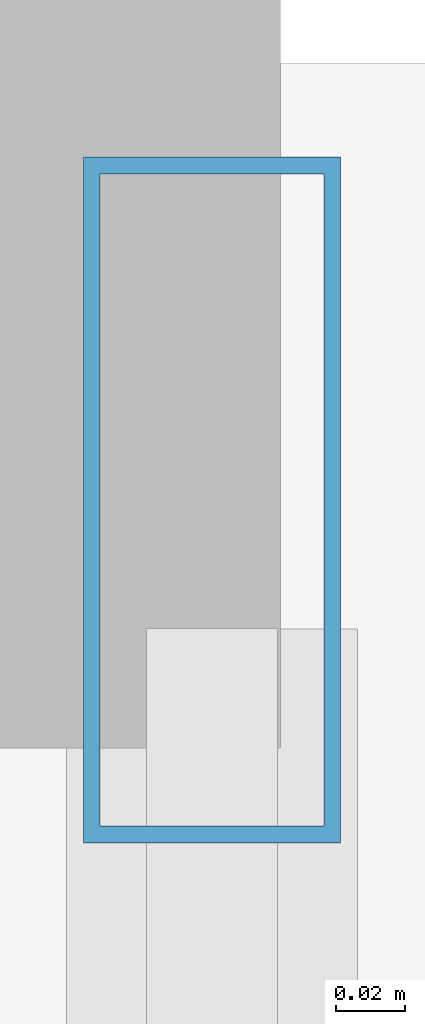
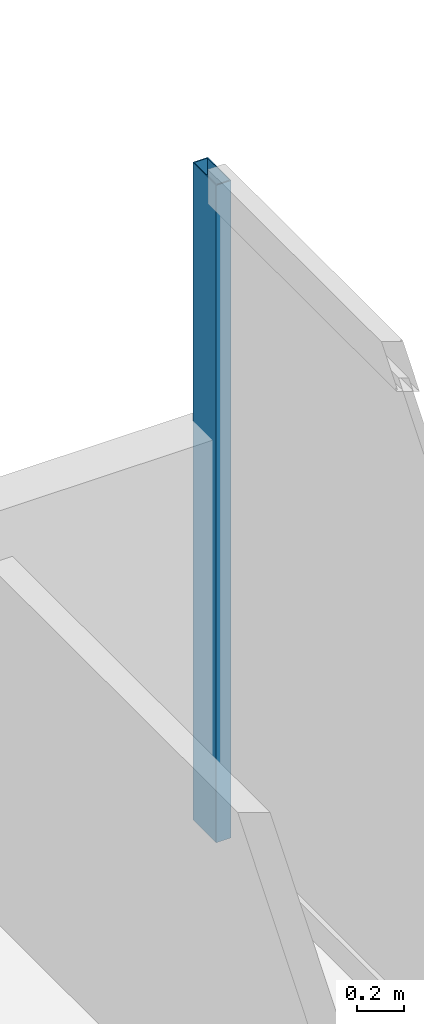
# One storey, part 23 of 30: 1 member, 1 element without a shape of its own.
"""IFC4 building model written with IfcOpenShell, lengths in metres."""

from ifc_helpers import new_model, si_unit, direction, frame, origin, origin_2d, place, context, subcontext, project, spatial, hollow_rectangle, extrude, material, material_profile, profile_set, type_object, element, aggregate, save


model = new_model("IFC4")

# Units and contexts
model_context = context("Model", 3, precision=1e-05, world=origin(), true_north=direction((0.0, 1.0)))
body_context = subcontext(model_context, "Body", "Model", "MODEL_VIEW")
ifc_project = project(units=[si_unit("LENGTHUNIT", "METRE"), si_unit("AREAUNIT", "SQUARE_METRE"), si_unit("VOLUMEUNIT", "CUBIC_METRE"), si_unit("PLANEANGLEUNIT", "RADIAN"), si_unit("MASSUNIT", "GRAM", prefix="KILO")], contexts=[model_context])

# Site, building, storey
site_placement = place(None, origin())
site = spatial("IfcSite", under=ifc_project, at=site_placement, CompositionType="ELEMENT")
building_placement = place(site_placement, origin())
building = spatial("IfcBuilding", under=site, at=building_placement, Name="Khoronbel Lancet Exchange", CompositionType="ELEMENT")
storey_placement = place(building_placement, frame((0.0, 0.0, 132.60009765625)))
storey = spatial("IfcBuildingStorey", under=building, at=storey_placement, Name="L32", CompositionType="ELEMENT", Elevation=132.60009765625)

# Curtain wall, member
ifc_material_1 = material(Name="Low-E Solar Control Insulating Glass", Category="glass")
curtain_wall_type = type_object("IfcCurtainWallType", Name="CW-4", PredefinedType="NOTDEFINED", material=ifc_material_1)
curtain_wall_placement = place(storey_placement, origin())
curtain_wall = element("IfcCurtainWall", 1, at=curtain_wall_placement, inside=storey, type_object=curtain_wall_type, Name="Unitised curtain wall CW-L32-E09", PredefinedType="NOTDEFINED")
ifc_material_2 = material(Name="Bronze-Anodised Aluminium 6063-T6", Category="aluminium")
ifc_material_profile = material_profile(ifc_material_2, hollow_rectangle(XDim=0.074951171875, YDim=0.199951171875, WallThickness=0.0048828125, at=origin_2d()), Name="ALU MULLION 75x200")
ifc_profile_set = profile_set([ifc_material_profile], Name="Bronze-Anodised Aluminium 6063-T6")
member_type = type_object("IfcMemberType", Name="MEM-CWM2", PredefinedType="MULLION", material=ifc_profile_set)
member_placement = place(storey_placement, frame((69.9599609375, 49.572509765625, 0.0), z_axis=(0.0, 0.0, 1.0), x_axis=(1.0, 0.0, 0.0)))
member = element("IfcMember", 2, at=member_placement, type_object=member_type, Name="CW4 mullion 1", PredefinedType="MULLION", context=body_context, shape_type="SweptSolid", body=[
    extrude(hollow_rectangle(XDim=0.074951171875, YDim=0.199951171875, WallThickness=0.0048828125, at=origin_2d()), origin(), (0.0, 0.0, 1.0), 3.43994140625),
])
aggregate(curtain_wall, [member])

save(model, "model.ifc")
